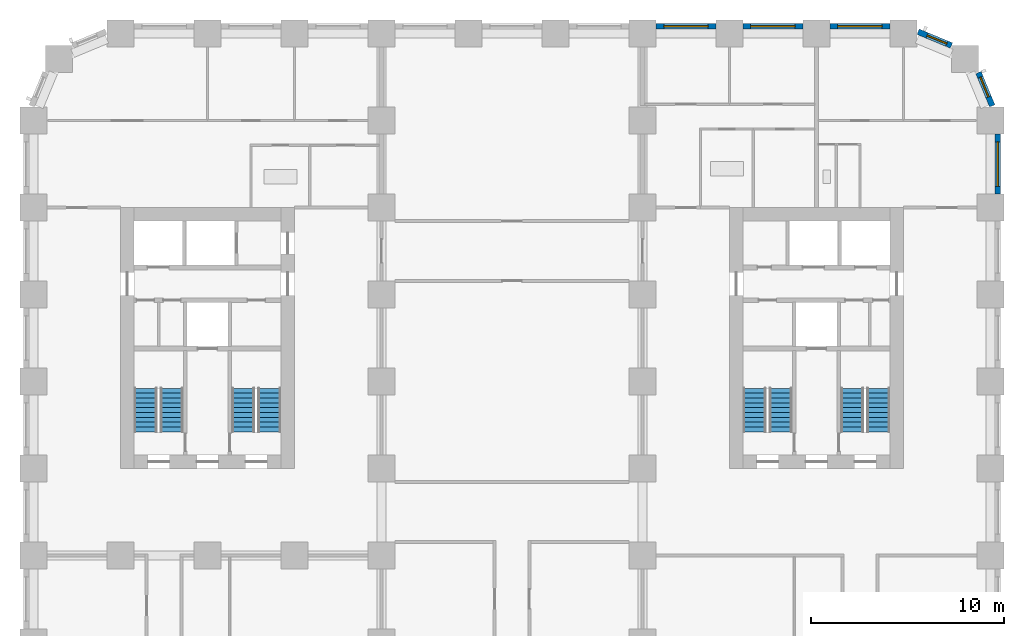
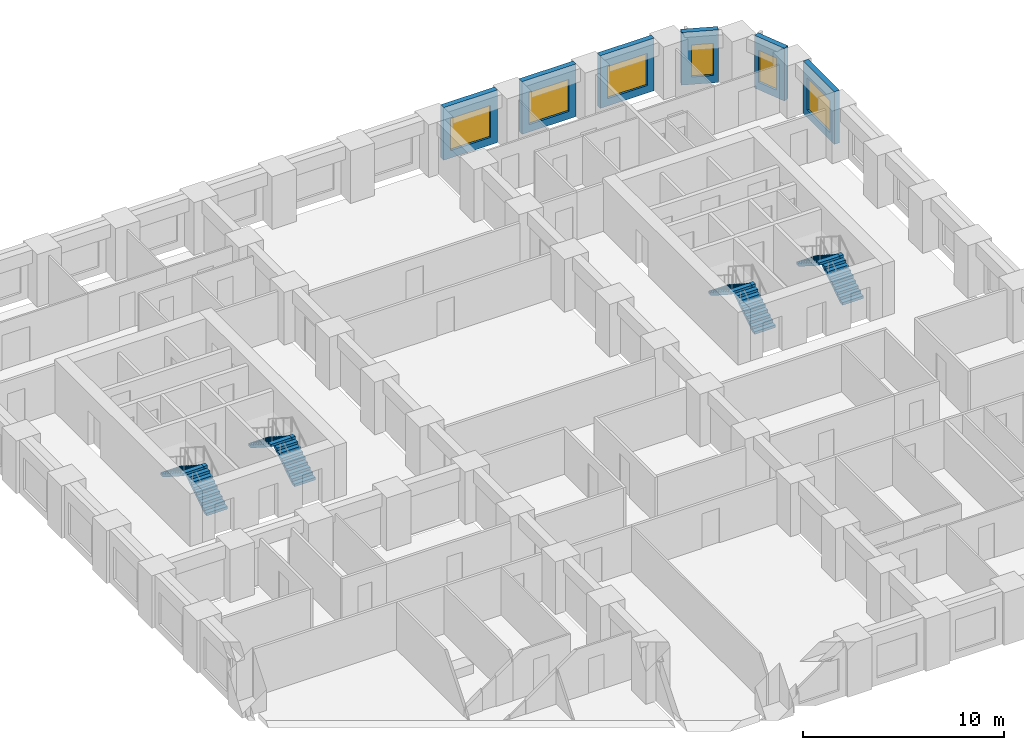
# One storey, part 9 of 12: 8 stair flights, 6 walls, 6 windows, 6 openings, 4 elements without a shape of their own.
"""IFC4 building model written with IfcOpenShell, lengths in metres."""

from ifc_helpers import new_model, si_unit, direction, frame, frame_2d, origin, place, context, subcontext, project, spatial, polyline, rectangle, outline, extrude, material, layer, layer_set, type_object, element, fill, aggregate, save


model = new_model("IFC4")

# Units and contexts
model_context = context("Model", 3, precision=1e-05, world=origin(), true_north=direction((0.0, 1.0)))
body_context = subcontext(model_context, "Body", "Model", "MODEL_VIEW")
ifc_project = project(units=[si_unit("LENGTHUNIT", "METRE"), si_unit("AREAUNIT", "SQUARE_METRE"), si_unit("VOLUMEUNIT", "CUBIC_METRE"), si_unit("PLANEANGLEUNIT", "RADIAN"), si_unit("MASSUNIT", "GRAM", prefix="KILO")], contexts=[model_context])

# Site, building, storey
site_placement = place(None, origin())
site = spatial("IfcSite", under=ifc_project, at=site_placement, CompositionType="ELEMENT")
building_placement = place(site_placement, origin())
building = spatial("IfcBuilding", under=site, at=building_placement, Name="Girih Gate Residences", CompositionType="ELEMENT")
storey_placement = place(building_placement, frame((0.0, 0.0, 68.800048828125)))
storey = spatial("IfcBuildingStorey", under=building, at=storey_placement, Name="L18", CompositionType="ELEMENT", Elevation=68.800048828125)

# Wall, opening, window
ifc_material_1 = material(Name="Precast concrete C50/60", Category="concrete")
ifc_layer_1 = layer(ifc_material_1, 0.080078125, Name="Outer leaf")
ifc_material_2 = material(Name="Rigid PIR insulation")
ifc_layer_2 = layer(ifc_material_2, 0.14990234375, Name="Insulation")
ifc_material_3 = material(Name="Precast concrete C40/50", Category="concrete")
ifc_layer_3 = layer(ifc_material_3, 0.070068359375, Name="Inner leaf")
ifc_layer_set = layer_set([ifc_layer_1, ifc_layer_2, ifc_layer_3], Name="Precast concrete C50/60 external wall 300")
wall_type = type_object("IfcWallType", Name="Precast concrete C50/60 external wall 300", PredefinedType="SOLIDWALL", material=ifc_layer_set)
wall_1_placement = place(storey_placement, frame((49.875, 44.300048828125, 0.0), z_axis=(0.0, 0.0, 1.0), x_axis=(0.0, -1.0, 0.0)))
wall_1 = element("IfcWall", 1, at=wall_1_placement, inside=storey, type_object=wall_type, Name="External wall E0495_0045.8", PredefinedType="SOLIDWALL", context=body_context, shape_type="SweptSolid", body=[
    extrude(rectangle(XDim=3.10009765625, YDim=0.300048828125, at=frame_2d((1.550048828125, 0.0))), origin(), (0.0, 0.0, 1.0), 3.199951171875),
])
opening_1_placement = place(wall_1_placement, frame((0.39990234375, 0.0, 0.449951171875)))
opening_1 = element("IfcOpeningElement", 2, at=opening_1_placement, cuts=wall_1, Name="Opening W-1", PredefinedType="OPENING", context=body_context, shape_type="SweptSolid", body=[
    extrude(rectangle(XDim=2.300048828125, YDim=1.949951171875, at=frame_2d((1.14990234375, 0.97509765625))), frame((0.0, 0.159912109375, 0.0), z_axis=(0.0, -1.0, 0.0), x_axis=(1.0, 0.0, 0.0)), (0.0, 0.0, 1.0), 0.320068359375),
])
ifc_material_4 = material(Name="Double glazing in aluminium frame", Category="aluminium")
window_type_1 = type_object("IfcWindowType", Name="Window W-1 2300x1950", PartitioningType="SINGLE_PANEL", PredefinedType="WINDOW", material=ifc_material_4)
window_1_placement = place(opening_1_placement, origin())
window_1 = element("IfcWindow", 3, at=window_1_placement, inside=storey, type_object=window_type_1, Name="Window W-1 E0495_0045.8", OverallHeight=1.949951171875, OverallWidth=2.300048828125, PartitioningType="SINGLE_PANEL", PredefinedType="WINDOW", context=body_context, shape_type="SweptSolid", body=[
    extrude(rectangle(XDim=2.300048828125, YDim=1.949951171875, at=frame_2d((1.14990234375, 0.97509765625))), frame((0.0, 0.030029296875, 0.0), z_axis=(0.0, -1.0, 0.0), x_axis=(1.0, 0.0, 0.0)), (0.0, 0.0, 1.0), 0.06005859375),
])
fill(opening_1, window_1)

wall_2_placement = place(storey_placement, frame((48.87841796875, 47.48046875, 0.0), z_axis=(0.0, 0.0, 1.0), x_axis=(0.38262540684, -0.923903565336, 0.0)))
wall_2 = element("IfcWall", 4, at=wall_2_placement, inside=storey, type_object=wall_type, Name="External wall NE0495_0450.0", PredefinedType="SOLIDWALL", context=body_context, shape_type="SweptSolid", body=[
    extrude(rectangle(XDim=1.864990234375, YDim=0.300048828125, at=frame_2d((0.9326171875, 0.0))), origin(), (0.0, 0.0, 1.0), 3.199951171875),
])
opening_2_placement = place(wall_2_placement, frame((0.257568359375, 0.0, 0.449951171875)))
opening_2 = element("IfcOpeningElement", 5, at=opening_2_placement, cuts=wall_2, Name="Opening W-2C", PredefinedType="OPENING", context=body_context, shape_type="SweptSolid", body=[
    extrude(rectangle(XDim=1.10009765625, YDim=1.949951171875, at=frame_2d((0.550048828125, 0.97509765625))), frame((0.0, 0.159912109375, 0.0), z_axis=(0.0, -1.0, 0.0), x_axis=(1.0, 0.0, 0.0)), (0.0, 0.0, 1.0), 0.320068359375),
])
window_type_2 = type_object("IfcWindowType", Name="Window W-2C 1100x1950", PartitioningType="SINGLE_PANEL", PredefinedType="WINDOW", material=ifc_material_4)
window_2_placement = place(opening_2_placement, origin())
window_2 = element("IfcWindow", 6, at=window_2_placement, inside=storey, type_object=window_type_2, Name="Window W-2C NE0495_0450.0", OverallHeight=1.949951171875, OverallWidth=1.10009765625, PartitioningType="SINGLE_PANEL", PredefinedType="WINDOW", context=body_context, shape_type="SweptSolid", body=[
    extrude(rectangle(XDim=1.10009765625, YDim=1.949951171875, at=frame_2d((0.550048828125, 0.97509765625))), frame((0.0, 0.030029296875, 0.0), z_axis=(0.0, -1.0, 0.0), x_axis=(1.0, 0.0, 0.0)), (0.0, 0.0, 1.0), 0.06005859375),
])
fill(opening_2, window_2)

wall_3_placement = place(storey_placement, frame((45.75732421875, 49.59228515625, 0.0), z_axis=(0.0, 0.0, 1.0), x_axis=(0.923857286003, -0.382737135771, 0.0)))
wall_3 = element("IfcWall", 7, at=wall_3_placement, inside=storey, type_object=wall_type, Name="External wall NE0482_0482.0", PredefinedType="SOLIDWALL", context=body_context, shape_type="SweptSolid", body=[
    extrude(rectangle(XDim=1.865234375, YDim=0.300048828125, at=frame_2d((0.9326171875, 0.0))), origin(), (0.0, 0.0, 1.0), 3.199951171875),
])
opening_3_placement = place(wall_3_placement, frame((0.507568359375, 0.0, 0.449951171875)))
opening_3 = element("IfcOpeningElement", 8, at=opening_3_placement, cuts=wall_3, Name="Opening W-2C", PredefinedType="OPENING", context=body_context, shape_type="SweptSolid", body=[
    extrude(rectangle(XDim=1.10009765625, YDim=1.949951171875, at=frame_2d((0.550048828125, 0.97509765625))), frame((0.0, 0.159912109375, 0.0), z_axis=(0.0, -1.0, 0.0), x_axis=(1.0, 0.0, 0.0)), (0.0, 0.0, 1.0), 0.320068359375),
])
window_3_placement = place(opening_3_placement, origin())
window_3 = element("IfcWindow", 9, at=window_3_placement, inside=storey, type_object=window_type_2, Name="Window W-2C NE0482_0482.0", OverallHeight=1.949951171875, OverallWidth=1.10009765625, PartitioningType="SINGLE_PANEL", PredefinedType="WINDOW", context=body_context, shape_type="SweptSolid", body=[
    extrude(rectangle(XDim=1.10009765625, YDim=1.949951171875, at=frame_2d((0.550048828125, 0.97509765625))), frame((0.0, 0.030029296875, 0.0), z_axis=(0.0, -1.0, 0.0), x_axis=(1.0, 0.0, 0.0)), (0.0, 0.0, 1.0), 0.06005859375),
])
fill(opening_3, window_3)

wall_4_placement = place(storey_placement, frame((41.199951171875, 49.875, 0.0), z_axis=(0.0, 0.0, 1.0), x_axis=(1.0, 0.0, 0.0)))
wall_4 = element("IfcWall", 10, at=wall_4_placement, inside=storey, type_object=wall_type, Name="External wall N0450_0495.0", PredefinedType="SOLIDWALL", context=body_context, shape_type="SweptSolid", body=[
    extrude(rectangle(XDim=3.10009765625, YDim=0.300048828125, at=frame_2d((1.550048828125, 0.0))), origin(), (0.0, 0.0, 1.0), 3.199951171875),
])
opening_4_placement = place(wall_4_placement, frame((0.39990234375, 0.0, 0.449951171875)))
opening_4 = element("IfcOpeningElement", 11, at=opening_4_placement, cuts=wall_4, Name="Opening W-1", PredefinedType="OPENING", context=body_context, shape_type="SweptSolid", body=[
    extrude(rectangle(XDim=2.300048828125, YDim=1.949951171875, at=frame_2d((1.14990234375, 0.97509765625))), frame((0.0, 0.159912109375, 0.0), z_axis=(0.0, -1.0, 0.0), x_axis=(1.0, 0.0, 0.0)), (0.0, 0.0, 1.0), 0.320068359375),
])
window_4_placement = place(opening_4_placement, origin())
window_4 = element("IfcWindow", 12, at=window_4_placement, inside=storey, type_object=window_type_1, Name="Window W-1 N0450_0495.0", OverallHeight=1.949951171875, OverallWidth=2.300048828125, PartitioningType="SINGLE_PANEL", PredefinedType="WINDOW", context=body_context, shape_type="SweptSolid", body=[
    extrude(rectangle(XDim=2.300048828125, YDim=1.949951171875, at=frame_2d((1.14990234375, 0.97509765625))), frame((0.0, 0.030029296875, 0.0), z_axis=(0.0, -1.0, 0.0), x_axis=(1.0, 0.0, 0.0)), (0.0, 0.0, 1.0), 0.06005859375),
])
fill(opening_4, window_4)

wall_5_placement = place(storey_placement, frame((36.699951171875, 49.875, 0.0), z_axis=(0.0, 0.0, 1.0), x_axis=(1.0, 0.0, 0.0)))
wall_5 = element("IfcWall", 13, at=wall_5_placement, inside=storey, type_object=wall_type, Name="External wall N0450_0495.1", PredefinedType="SOLIDWALL", context=body_context, shape_type="SweptSolid", body=[
    extrude(rectangle(XDim=3.10009765625, YDim=0.300048828125, at=frame_2d((1.550048828125, 0.0))), origin(), (0.0, 0.0, 1.0), 3.199951171875),
])
opening_5_placement = place(wall_5_placement, frame((0.39990234375, 0.0, 0.449951171875)))
opening_5 = element("IfcOpeningElement", 14, at=opening_5_placement, cuts=wall_5, Name="Opening W-1", PredefinedType="OPENING", context=body_context, shape_type="SweptSolid", body=[
    extrude(rectangle(XDim=2.300048828125, YDim=1.949951171875, at=frame_2d((1.14990234375, 0.97509765625))), frame((0.0, 0.159912109375, 0.0), z_axis=(0.0, -1.0, 0.0), x_axis=(1.0, 0.0, 0.0)), (0.0, 0.0, 1.0), 0.320068359375),
])
window_5_placement = place(opening_5_placement, origin())
window_5 = element("IfcWindow", 15, at=window_5_placement, inside=storey, type_object=window_type_1, Name="Window W-1 N0450_0495.1", OverallHeight=1.949951171875, OverallWidth=2.300048828125, PartitioningType="SINGLE_PANEL", PredefinedType="WINDOW", context=body_context, shape_type="SweptSolid", body=[
    extrude(rectangle(XDim=2.300048828125, YDim=1.949951171875, at=frame_2d((1.14990234375, 0.97509765625))), frame((0.0, 0.030029296875, 0.0), z_axis=(0.0, -1.0, 0.0), x_axis=(1.0, 0.0, 0.0)), (0.0, 0.0, 1.0), 0.06005859375),
])
fill(opening_5, window_5)

wall_6_placement = place(storey_placement, frame((32.199951171875, 49.875, 0.0), z_axis=(0.0, 0.0, 1.0), x_axis=(1.0, 0.0, 0.0)))
wall_6 = element("IfcWall", 16, at=wall_6_placement, inside=storey, type_object=wall_type, Name="External wall N0450_0495.2", PredefinedType="SOLIDWALL", context=body_context, shape_type="SweptSolid", body=[
    extrude(rectangle(XDim=3.10009765625, YDim=0.300048828125, at=frame_2d((1.550048828125, 0.0))), origin(), (0.0, 0.0, 1.0), 3.199951171875),
])
opening_6_placement = place(wall_6_placement, frame((0.39990234375, 0.0, 0.449951171875)))
opening_6 = element("IfcOpeningElement", 17, at=opening_6_placement, cuts=wall_6, Name="Opening W-1", PredefinedType="OPENING", context=body_context, shape_type="SweptSolid", body=[
    extrude(rectangle(XDim=2.300048828125, YDim=1.949951171875, at=frame_2d((1.14990234375, 0.97509765625))), frame((0.0, 0.159912109375, 0.0), z_axis=(0.0, -1.0, 0.0), x_axis=(1.0, 0.0, 0.0)), (0.0, 0.0, 1.0), 0.320068359375),
])
window_6_placement = place(opening_6_placement, origin())
window_6 = element("IfcWindow", 18, at=window_6_placement, inside=storey, type_object=window_type_1, Name="Window W-1 N0450_0495.2", OverallHeight=1.949951171875, OverallWidth=2.300048828125, PartitioningType="SINGLE_PANEL", PredefinedType="WINDOW", context=body_context, shape_type="SweptSolid", body=[
    extrude(rectangle(XDim=2.300048828125, YDim=1.949951171875, at=frame_2d((1.14990234375, 0.97509765625))), frame((0.0, 0.030029296875, 0.0), z_axis=(0.0, -1.0, 0.0), x_axis=(1.0, 0.0, 0.0)), (0.0, 0.0, 1.0), 0.06005859375),
])
fill(opening_6, window_6)

# Stair, stair flights
ifc_material_5 = material(Name="Concrete C40/50", Category="concrete")
stair_type = type_object("IfcStairType", Name="Exit stair", PredefinedType="HALF_TURN_STAIR", material=ifc_material_5)
stair_1_placement = place(storey_placement, origin())
stair_1 = element("IfcStair", 19, at=stair_1_placement, inside=storey, type_object=stair_type, Name="L18 Exit Stair ST-W1", PredefinedType="HALF_TURN_STAIR")
stair_flight_type = type_object("IfcStairFlightType", Name="Stair flight 1200", PredefinedType="STRAIGHT", material=ifc_material_5)
stair_flight_1_placement = place(storey_placement, frame((7.14990234375, 28.89990234375, 0.0), z_axis=(0.0, 0.0, 1.0), x_axis=(0.0, 1.0, 0.0)))
stair_flight_1 = element("IfcStairFlight", 20, at=stair_flight_1_placement, type_object=stair_flight_type, Name="ST-W1 flight 1", NumberOfRisers=10, NumberOfTreads=9, PredefinedType="STRAIGHT", RiserHeight=0.16, TreadLength=0.25, context=body_context, shape_type="SweptSolid", body=[
    extrude(outline(polyline([(0.0, 0.0), (0.0, 0.159912109375), (0.25, 0.159912109375), (0.25, 0.320068359375), (0.5, 0.320068359375), (0.5, 0.47998046875), (0.75, 0.47998046875), (0.75, 0.639892578125), (1.0, 0.639892578125), (1.0, 0.800048828125), (1.25, 0.800048828125), (1.25, 0.9599609375), (1.5, 0.9599609375), (1.5, 1.1201171875), (1.75, 1.1201171875), (1.75, 1.280029296875), (2.0, 1.280029296875), (2.0, 1.43994140625), (2.25, 1.43994140625), (2.25, 1.60009765625), (2.25, 1.29736328125), (0.222900390625, 0.0), (0.0, 0.0)])), frame((0.0, 0.60009765625, 0.0), z_axis=(0.0, -1.0, 0.0), x_axis=(1.0, 0.0, 0.0)), (0.0, 0.0, 1.0), 1.199951171875),
])
stair_flight_2_placement = place(storey_placement, frame((5.800048828125, 31.14990234375, 1.599853515625), z_axis=(0.0, 0.0, 1.0), x_axis=(0.0, -1.0, 0.0)))
stair_flight_2 = element("IfcStairFlight", 21, at=stair_flight_2_placement, type_object=stair_flight_type, Name="ST-W1 flight 2", NumberOfRisers=10, NumberOfTreads=9, PredefinedType="STRAIGHT", RiserHeight=0.16, TreadLength=0.25, context=body_context, shape_type="SweptSolid", body=[
    extrude(outline(polyline([(0.0, 0.0), (0.0, 0.159912109375), (0.25, 0.159912109375), (0.25, 0.320068359375), (0.5, 0.320068359375), (0.5, 0.47998046875), (0.75, 0.47998046875), (0.75, 0.639892578125), (1.0, 0.639892578125), (1.0, 0.800048828125), (1.25, 0.800048828125), (1.25, 0.9599609375), (1.5, 0.9599609375), (1.5, 1.1201171875), (1.75, 1.1201171875), (1.75, 1.280029296875), (2.0, 1.280029296875), (2.0, 1.43994140625), (2.25, 1.43994140625), (2.25, 1.60009765625), (2.25, 1.29736328125), (0.222900390625, 0.0), (0.0, 0.0)])), frame((0.0, 0.60009765625, 0.0), z_axis=(0.0, -1.0, 0.0), x_axis=(1.0, 0.0, 0.0)), (0.0, 0.0, 1.0), 1.199951171875),
])
aggregate(stair_1, [stair_flight_1, stair_flight_2])

stair_2_placement = place(storey_placement, origin())
stair_2 = element("IfcStair", 22, at=stair_2_placement, inside=storey, type_object=stair_type, Name="L18 Exit Stair ST-W2", PredefinedType="HALF_TURN_STAIR")
stair_flight_3_placement = place(storey_placement, frame((12.199951171875, 28.89990234375, 0.0), z_axis=(0.0, 0.0, 1.0), x_axis=(0.0, 1.0, 0.0)))
stair_flight_3 = element("IfcStairFlight", 23, at=stair_flight_3_placement, type_object=stair_flight_type, Name="ST-W2 flight 1", NumberOfRisers=10, NumberOfTreads=9, PredefinedType="STRAIGHT", RiserHeight=0.16, TreadLength=0.25, context=body_context, shape_type="SweptSolid", body=[
    extrude(outline(polyline([(0.0, 0.0), (0.0, 0.159912109375), (0.25, 0.159912109375), (0.25, 0.320068359375), (0.5, 0.320068359375), (0.5, 0.47998046875), (0.75, 0.47998046875), (0.75, 0.639892578125), (1.0, 0.639892578125), (1.0, 0.800048828125), (1.25, 0.800048828125), (1.25, 0.9599609375), (1.5, 0.9599609375), (1.5, 1.1201171875), (1.75, 1.1201171875), (1.75, 1.280029296875), (2.0, 1.280029296875), (2.0, 1.43994140625), (2.25, 1.43994140625), (2.25, 1.60009765625), (2.25, 1.29736328125), (0.222900390625, 0.0), (0.0, 0.0)])), frame((0.0, 0.60009765625, 0.0), z_axis=(0.0, -1.0, 0.0), x_axis=(1.0, 0.0, 0.0)), (0.0, 0.0, 1.0), 1.199951171875),
])
stair_flight_4_placement = place(storey_placement, frame((10.85009765625, 31.14990234375, 1.599853515625), z_axis=(0.0, 0.0, 1.0), x_axis=(0.0, -1.0, 0.0)))
stair_flight_4 = element("IfcStairFlight", 24, at=stair_flight_4_placement, type_object=stair_flight_type, Name="ST-W2 flight 2", NumberOfRisers=10, NumberOfTreads=9, PredefinedType="STRAIGHT", RiserHeight=0.16, TreadLength=0.25, context=body_context, shape_type="SweptSolid", body=[
    extrude(outline(polyline([(0.0, 0.0), (0.0, 0.159912109375), (0.25, 0.159912109375), (0.25, 0.320068359375), (0.5, 0.320068359375), (0.5, 0.47998046875), (0.75, 0.47998046875), (0.75, 0.639892578125), (1.0, 0.639892578125), (1.0, 0.800048828125), (1.25, 0.800048828125), (1.25, 0.9599609375), (1.5, 0.9599609375), (1.5, 1.1201171875), (1.75, 1.1201171875), (1.75, 1.280029296875), (2.0, 1.280029296875), (2.0, 1.43994140625), (2.25, 1.43994140625), (2.25, 1.60009765625), (2.25, 1.29736328125), (0.222900390625, 0.0), (0.0, 0.0)])), frame((0.0, 0.60009765625, 0.0), z_axis=(0.0, -1.0, 0.0), x_axis=(1.0, 0.0, 0.0)), (0.0, 0.0, 1.0), 1.199951171875),
])
aggregate(stair_2, [stair_flight_3, stair_flight_4])

stair_3_placement = place(storey_placement, origin())
stair_3 = element("IfcStair", 25, at=stair_3_placement, inside=storey, type_object=stair_type, Name="L18 Exit Stair ST-E1", PredefinedType="HALF_TURN_STAIR")
stair_flight_5_placement = place(storey_placement, frame((43.699951171875, 28.89990234375, 0.0), z_axis=(0.0, 0.0, 1.0), x_axis=(0.0, 1.0, 0.0)))
stair_flight_5 = element("IfcStairFlight", 26, at=stair_flight_5_placement, type_object=stair_flight_type, Name="ST-E1 flight 1", NumberOfRisers=10, NumberOfTreads=9, PredefinedType="STRAIGHT", RiserHeight=0.16, TreadLength=0.25, context=body_context, shape_type="SweptSolid", body=[
    extrude(outline(polyline([(0.0, 0.0), (0.0, 0.159912109375), (0.25, 0.159912109375), (0.25, 0.320068359375), (0.5, 0.320068359375), (0.5, 0.47998046875), (0.75, 0.47998046875), (0.75, 0.639892578125), (1.0, 0.639892578125), (1.0, 0.800048828125), (1.25, 0.800048828125), (1.25, 0.9599609375), (1.5, 0.9599609375), (1.5, 1.1201171875), (1.75, 1.1201171875), (1.75, 1.280029296875), (2.0, 1.280029296875), (2.0, 1.43994140625), (2.25, 1.43994140625), (2.25, 1.60009765625), (2.25, 1.29736328125), (0.222900390625, 0.0), (0.0, 0.0)])), frame((0.0, 0.60009765625, 0.0), z_axis=(0.0, -1.0, 0.0), x_axis=(1.0, 0.0, 0.0)), (0.0, 0.0, 1.0), 1.199951171875),
])
stair_flight_6_placement = place(storey_placement, frame((42.35009765625, 31.14990234375, 1.599853515625), z_axis=(0.0, 0.0, 1.0), x_axis=(0.0, -1.0, 0.0)))
stair_flight_6 = element("IfcStairFlight", 27, at=stair_flight_6_placement, type_object=stair_flight_type, Name="ST-E1 flight 2", NumberOfRisers=10, NumberOfTreads=9, PredefinedType="STRAIGHT", RiserHeight=0.16, TreadLength=0.25, context=body_context, shape_type="SweptSolid", body=[
    extrude(outline(polyline([(0.0, 0.0), (0.0, 0.159912109375), (0.25, 0.159912109375), (0.25, 0.320068359375), (0.5, 0.320068359375), (0.5, 0.47998046875), (0.75, 0.47998046875), (0.75, 0.639892578125), (1.0, 0.639892578125), (1.0, 0.800048828125), (1.25, 0.800048828125), (1.25, 0.9599609375), (1.5, 0.9599609375), (1.5, 1.1201171875), (1.75, 1.1201171875), (1.75, 1.280029296875), (2.0, 1.280029296875), (2.0, 1.43994140625), (2.25, 1.43994140625), (2.25, 1.60009765625), (2.25, 1.29736328125), (0.222900390625, 0.0), (0.0, 0.0)])), frame((0.0, 0.60009765625, 0.0), z_axis=(0.0, -1.0, 0.0), x_axis=(1.0, 0.0, 0.0)), (0.0, 0.0, 1.0), 1.199951171875),
])
aggregate(stair_3, [stair_flight_5, stair_flight_6])

stair_4_placement = place(storey_placement, origin())
stair_4 = element("IfcStair", 28, at=stair_4_placement, inside=storey, type_object=stair_type, Name="L18 Exit Stair ST-E2", PredefinedType="HALF_TURN_STAIR")
stair_flight_7_placement = place(storey_placement, frame((38.64990234375, 28.89990234375, 0.0), z_axis=(0.0, 0.0, 1.0), x_axis=(0.0, 1.0, 0.0)))
stair_flight_7 = element("IfcStairFlight", 29, at=stair_flight_7_placement, type_object=stair_flight_type, Name="ST-E2 flight 1", NumberOfRisers=10, NumberOfTreads=9, PredefinedType="STRAIGHT", RiserHeight=0.16, TreadLength=0.25, context=body_context, shape_type="SweptSolid", body=[
    extrude(outline(polyline([(0.0, 0.0), (0.0, 0.159912109375), (0.25, 0.159912109375), (0.25, 0.320068359375), (0.5, 0.320068359375), (0.5, 0.47998046875), (0.75, 0.47998046875), (0.75, 0.639892578125), (1.0, 0.639892578125), (1.0, 0.800048828125), (1.25, 0.800048828125), (1.25, 0.9599609375), (1.5, 0.9599609375), (1.5, 1.1201171875), (1.75, 1.1201171875), (1.75, 1.280029296875), (2.0, 1.280029296875), (2.0, 1.43994140625), (2.25, 1.43994140625), (2.25, 1.60009765625), (2.25, 1.29736328125), (0.222900390625, 0.0), (0.0, 0.0)])), frame((0.0, 0.60009765625, 0.0), z_axis=(0.0, -1.0, 0.0), x_axis=(1.0, 0.0, 0.0)), (0.0, 0.0, 1.0), 1.199951171875),
])
stair_flight_8_placement = place(storey_placement, frame((37.300048828125, 31.14990234375, 1.599853515625), z_axis=(0.0, 0.0, 1.0), x_axis=(0.0, -1.0, 0.0)))
stair_flight_8 = element("IfcStairFlight", 30, at=stair_flight_8_placement, type_object=stair_flight_type, Name="ST-E2 flight 2", NumberOfRisers=10, NumberOfTreads=9, PredefinedType="STRAIGHT", RiserHeight=0.16, TreadLength=0.25, context=body_context, shape_type="SweptSolid", body=[
    extrude(outline(polyline([(0.0, 0.0), (0.0, 0.159912109375), (0.25, 0.159912109375), (0.25, 0.320068359375), (0.5, 0.320068359375), (0.5, 0.47998046875), (0.75, 0.47998046875), (0.75, 0.639892578125), (1.0, 0.639892578125), (1.0, 0.800048828125), (1.25, 0.800048828125), (1.25, 0.9599609375), (1.5, 0.9599609375), (1.5, 1.1201171875), (1.75, 1.1201171875), (1.75, 1.280029296875), (2.0, 1.280029296875), (2.0, 1.43994140625), (2.25, 1.43994140625), (2.25, 1.60009765625), (2.25, 1.29736328125), (0.222900390625, 0.0), (0.0, 0.0)])), frame((0.0, 0.60009765625, 0.0), z_axis=(0.0, -1.0, 0.0), x_axis=(1.0, 0.0, 0.0)), (0.0, 0.0, 1.0), 1.199951171875),
])
aggregate(stair_4, [stair_flight_7, stair_flight_8])

save(model, "model.ifc")
